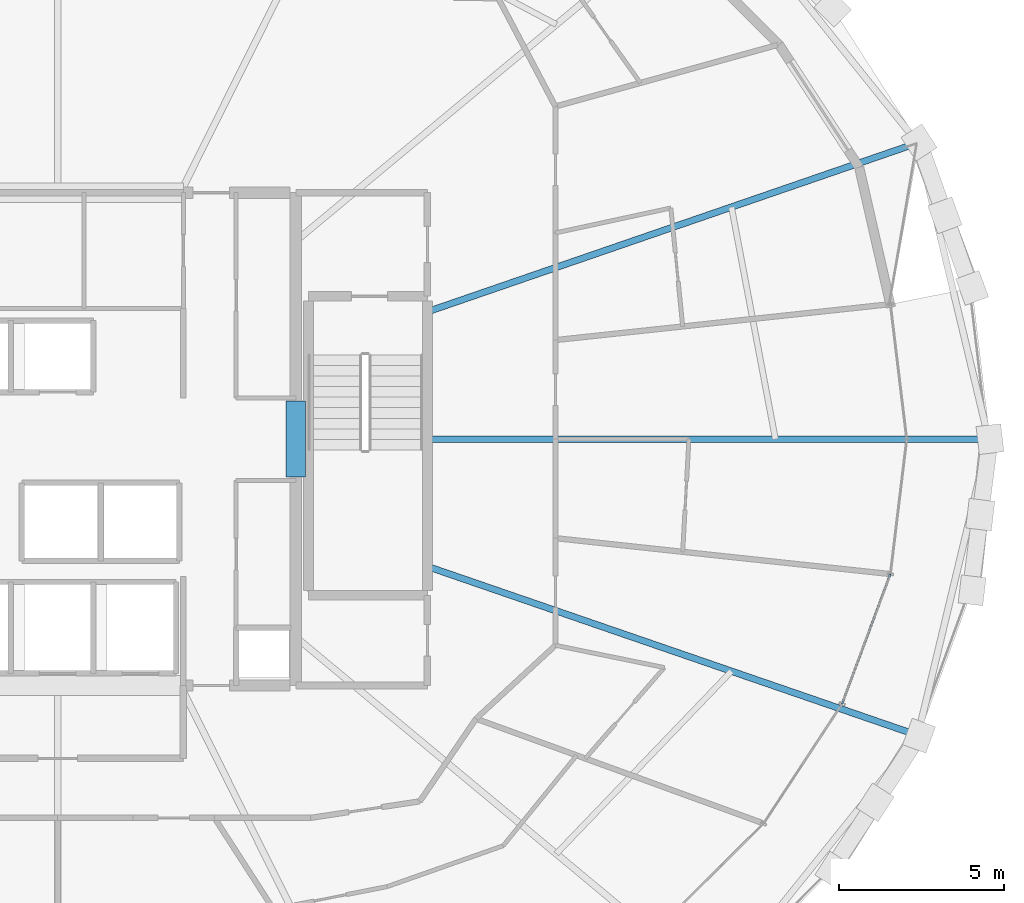
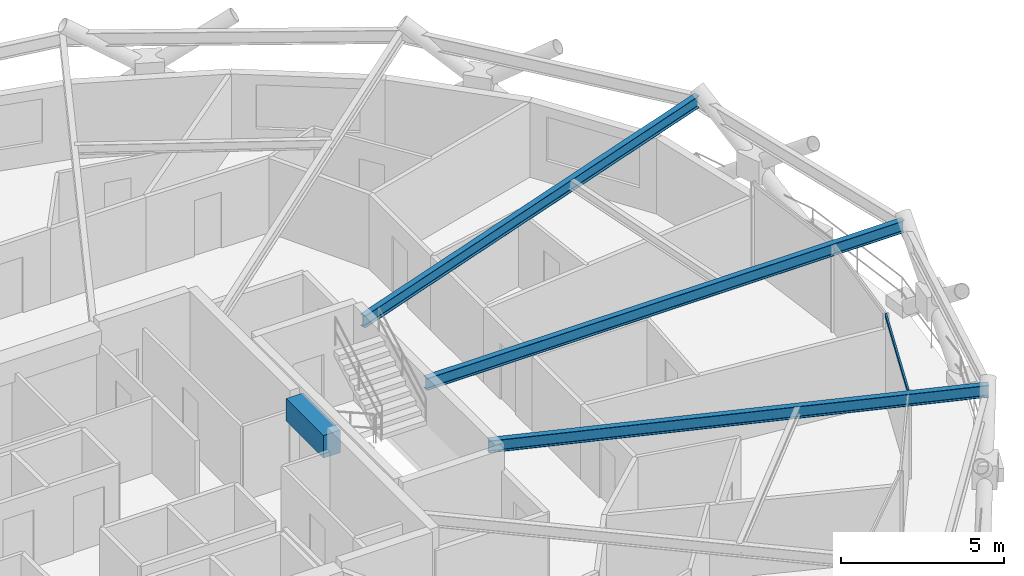
# One storey, part 10 of 19: 4 beams, 1 member, 1 element without a shape of its own.
"""IFC4 building model written with IfcOpenShell, lengths in metres."""

from ifc_helpers import new_model, si_unit, direction, frame, origin, origin_2d, place, context, subcontext, project, spatial, rectangle, hollow_rectangle, i_section, extrude, material, layer, layer_set, material_profile, profile_set, type_object, element, aggregate, save


model = new_model("IFC4")

# Units and contexts
model_context = context("Model", 3, precision=1e-05, world=origin(), true_north=direction((0.0, 1.0)))
body_context = subcontext(model_context, "Body", "Model", "MODEL_VIEW")
ifc_project = project(units=[si_unit("LENGTHUNIT", "METRE"), si_unit("AREAUNIT", "SQUARE_METRE"), si_unit("VOLUMEUNIT", "CUBIC_METRE"), si_unit("PLANEANGLEUNIT", "RADIAN"), si_unit("MASSUNIT", "GRAM", prefix="KILO")], contexts=[model_context])

# Site, building, storey
site_placement = place(None, origin())
site = spatial("IfcSite", under=ifc_project, at=site_placement, CompositionType="ELEMENT")
building_placement = place(site_placement, origin())
building = spatial("IfcBuilding", under=site, at=building_placement, Name="Veldorina Hangang Commons", CompositionType="ELEMENT")
storey_placement = place(building_placement, frame((0.0, 0.0, 160.39990234375)))
storey = spatial("IfcBuildingStorey", under=building, at=storey_placement, Name="L41", CompositionType="ELEMENT", Elevation=160.39990234375)

# Beams
ifc_material_1 = material(Name="Concrete C60/75", Category="concrete")
ifc_material_profile_1 = material_profile(ifc_material_1, rectangle(XDim=0.60009765625, YDim=0.85009765625, at=origin_2d()), Name="RC-CB-600x850")
ifc_profile_set_1 = profile_set([ifc_material_profile_1], Name="Concrete C60/75")
beam_type_1 = type_object("IfcBeamType", Name="BM-CB850", PredefinedType="LINTEL", material=ifc_profile_set_1)
beam_1_placement = place(storey_placement, frame((39.199951171875, 22.85009765625, 2.925048828125), z_axis=(0.0, 1.0, 0.0), x_axis=(-1.0, 0.0, 0.0)))
element("IfcBeam", 1, at=beam_1_placement, inside=storey, type_object=beam_type_1, Name="L41 E core coupling lintel beam", PredefinedType="LINTEL", context=body_context, shape_type="SweptSolid", body=[
    extrude(rectangle(XDim=0.60009765625, YDim=0.85009765625, at=origin_2d()), origin(), (0.0, 0.0, 1.0), 2.2998046875),
])
ifc_material_2 = material(Name="Steel SM355-TMC", Category="steel")
ifc_material_profile_2 = material_profile(ifc_material_2, i_section(OverallWidth=0.199951171875, OverallDepth=0.449951171875, WebThickness=0.009033203125, FlangeThickness=0.013916015625, FilletRadius=0.01611328125, at=origin_2d()), Name="H-450x200x9x14")
ifc_profile_set_2 = profile_set([ifc_material_profile_2], Name="Steel SM355-TMC")
beam_type_2 = type_object("IfcBeamType", Name="BM-FG450", PredefinedType="BEAM", material=ifc_profile_set_2)
beam_2_placement = place(storey_placement, frame((43.179931640625, 24.0, 3.125), z_axis=(1.0, 0.0, 0.0), x_axis=(0.0, 1.0, 0.0)))
element("IfcBeam", 2, at=beam_2_placement, inside=storey, type_object=beam_type_2, Name="L41 radial floor girder 01", PredefinedType="BEAM", context=body_context, shape_type="SweptSolid", body=[
    extrude(i_section(OverallWidth=0.199951171875, OverallDepth=0.449951171875, WebThickness=0.009033203125, FlangeThickness=0.013916015625, FilletRadius=0.01611328125, at=origin_2d()), origin(), (0.0, 0.0, 1.0), 16.96875),
])
for number, where, z_axis, x_axis, name in (
    (3, (43.179931640625, 27.850341796875, 3.125), (0.945500971875, 0.325619274895, 0.0), (-0.325619274895, 0.945500971875, 0.0), "L41 radial floor girder 02"),
    (4, (43.179931640625, 20.149658203125, 3.125), (0.945500971875, -0.325619274895, 0.0), (0.325619274895, 0.945500971875, 0.0), "L41 radial floor girder 16"),
):
    element("IfcBeam", number, at=place(storey_placement, frame(where, z_axis=z_axis, x_axis=x_axis)), inside=storey, type_object=beam_type_2, Name=name, PredefinedType="BEAM", context=body_context, shape_type="SweptSolid", body=[
        extrude(i_section(OverallWidth=0.199951171875, OverallDepth=0.449951171875, WebThickness=0.009033203125, FlangeThickness=0.013916015625, FilletRadius=0.01611328125, at=origin_2d()), origin(), (0.0, 0.0, 1.0), 15.6806640625),
    ])

# Curtain wall, member
ifc_material_3 = material(Name="Glass Low-E Triple IGU", Category="glass")
ifc_layer = layer(ifc_material_3, 0.179931640625)
ifc_layer_set = layer_set([ifc_layer], Name="Glass Low-E Triple IGU")
curtain_wall_type = type_object("IfcCurtainWallType", Name="CW-SYS-Z2", PredefinedType="NOTDEFINED", material=ifc_layer_set)
curtain_wall_placement = place(storey_placement, origin())
curtain_wall = element("IfcCurtainWall", 5, at=curtain_wall_placement, inside=storey, type_object=curtain_wall_type, Name="L41 unitised curtain wall CW-L41-R2", PredefinedType="NOTDEFINED")
ifc_material_4 = material(Name="Aluminium Anodized AA6063-T6", Category="aluminium")
ifc_material_profile_3 = material_profile(ifc_material_4, hollow_rectangle(XDim=0.06005859375, YDim=0.139892578125, WallThickness=0.00341796875, at=origin_2d()), Name="ALU-RHS-140x60x3.5")
ifc_profile_set_3 = profile_set([ifc_material_profile_3], Name="Aluminium Anodized AA6063-T6")
member_type = type_object("IfcMemberType", Name="CW-TRN-140", PredefinedType="USERDEFINED", material=ifc_profile_set_3)
member_placement = place(storey_placement, frame((55.71484375, 15.997314453125, 3.27001953125), z_axis=(0.348949347256, 0.937141586448, 0.0), x_axis=(-0.937141586448, 0.348949347256, 0.0)))
member = element("IfcMember", 6, at=member_placement, type_object=member_type, Name="CW-L41-R2 facet 3 transom 1", ObjectType="TRANSOM", PredefinedType="USERDEFINED", context=body_context, shape_type="SweptSolid", body=[
    extrude(hollow_rectangle(XDim=0.06005859375, YDim=0.139892578125, WallThickness=0.00341796875, at=origin_2d()), origin(), (0.0, 0.0, 1.0), 4.18603515625),
])
aggregate(curtain_wall, [member])

save(model, "model.ifc")
